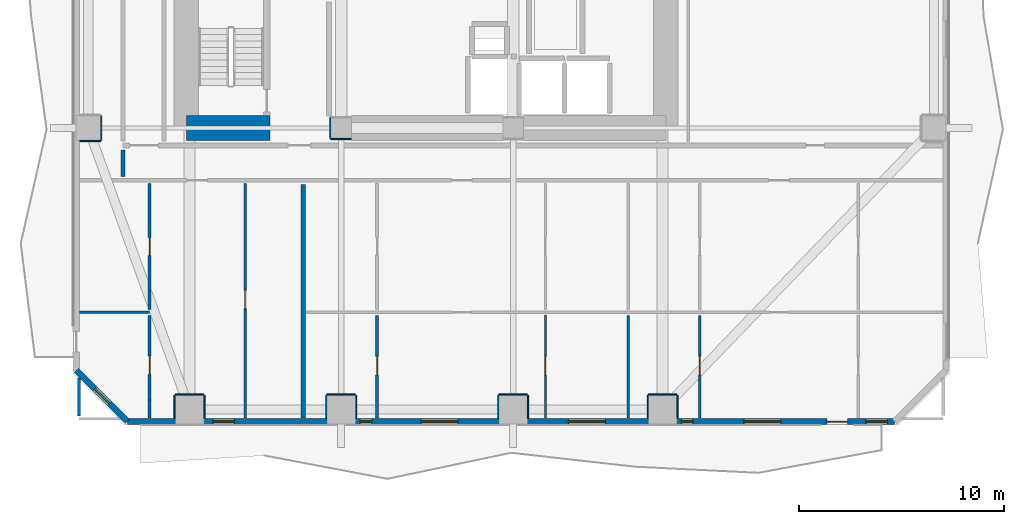
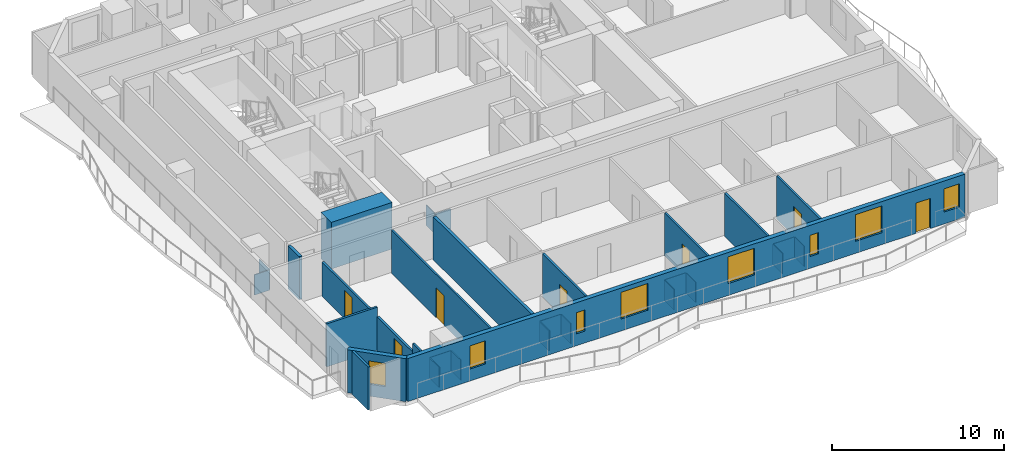
# One storey, part 2 of 10: 31 walls, 8 windows, 7 doors, 15 openings.
"""IFC4 building model written with IfcOpenShell, lengths in metres."""

from ifc_helpers import new_model, si_unit, direction, frame, frame_2d, origin, place, context, subcontext, project, spatial, rectangle, extrude, material, layer, layer_set, type_object, element, fill, save


model = new_model("IFC4")

# Units and contexts
model_context = context("Model", 3, precision=1e-05, world=origin(), true_north=direction((0.0, 1.0)))
body_context = subcontext(model_context, "Body", "Model", "MODEL_VIEW")
ifc_project = project(units=[si_unit("LENGTHUNIT", "METRE"), si_unit("AREAUNIT", "SQUARE_METRE"), si_unit("VOLUMEUNIT", "CUBIC_METRE"), si_unit("PLANEANGLEUNIT", "RADIAN"), si_unit("MASSUNIT", "GRAM", prefix="KILO")], contexts=[model_context])

# Site, building, storey
site_placement = place(None, origin())
site = spatial("IfcSite", under=ifc_project, at=site_placement, CompositionType="ELEMENT")
building_placement = place(site_placement, origin())
building = spatial("IfcBuilding", under=site, at=building_placement, Name="Solanera Arch Residences", CompositionType="ELEMENT")
storey_placement = place(building_placement, frame((0.0, 0.0, 48.56005859375)))
storey = spatial("IfcBuildingStorey", under=building, at=storey_placement, Name="L13", CompositionType="ELEMENT", Elevation=48.56005859375)

# Walls
ifc_material_1 = material(Name="Fire-Rated Gypsum Stud Partition", Category="gypsum")
ifc_layer_1 = layer(ifc_material_1, 0.06005859375)
ifc_layer_set_1 = layer_set([ifc_layer_1], Name="Fire-Rated Gypsum Stud Partition")
wall_type_1 = type_object("IfcWallType", Name="Column Acoustic Furring Wall 60", PredefinedType="PARTITIONING", material=ifc_layer_set_1)
wall_1_placement = place(storey_placement, frame((20.300048828125, 21.468017578125, 0.0), z_axis=(0.0, 0.0, 1.0), x_axis=(1.0, 0.0, 0.0)))
element("IfcWall", 1, at=wall_1_placement, inside=storey, type_object=wall_type_1, Name="L13 Column Furring 1S", PredefinedType="PARTITIONING", context=body_context, shape_type="SweptSolid", body=[
    extrude(rectangle(XDim=0.989990234375, YDim=0.06005859375, at=frame_2d((0.4951171875, 0.0))), origin(), (0.0, 0.0, 1.0), 1.449951171875),
])
wall_2_placement = place(storey_placement, frame((20.26806640625, 21.5, 0.0), z_axis=(0.0, 0.0, 1.0), x_axis=(0.0, 1.0, 0.0)))
element("IfcWall", 2, at=wall_2_placement, inside=storey, type_object=wall_type_1, Name="L13 Column Furring 1W", PredefinedType="PARTITIONING", context=body_context, shape_type="SweptSolid", body=[
    extrude(rectangle(XDim=1.0, YDim=0.06005859375, at=frame_2d((0.5, 0.0))), origin(), (0.0, 0.0, 1.0), 1.449951171875),
])
wall_3_placement = place(storey_placement, frame((12.699951171875, 8.98193359375, 0.0), z_axis=(0.0, 0.0, 1.0), x_axis=(1.0, 0.0, 0.0)))
element("IfcWall", 3, at=wall_3_placement, inside=storey, type_object=wall_type_1, Name="L13 Column Furring 9N", PredefinedType="PARTITIONING", context=body_context, shape_type="SweptSolid", body=[
    extrude(rectangle(XDim=1.400146484375, YDim=0.06005859375, at=frame_2d((0.7001953125, 0.0))), origin(), (0.0, 0.0, 1.0), 1.449951171875),
])
for number, where, z_axis, x_axis, name in (
    (4, (12.66796875, 7.830078125, 0.0), (0.0, 0.0, 1.0), (0.0, 1.0, 0.0), "L13 Column Furring 9W"),
    (5, (14.132080078125, 7.830078125, 0.0), (0.0, 0.0, 1.0), (0.0, 1.0, 0.0), "L13 Column Furring 9E"),
):
    element("IfcWall", number, at=place(storey_placement, frame(where, z_axis=z_axis, x_axis=x_axis)), inside=storey, type_object=wall_type_1, Name=name, PredefinedType="PARTITIONING", context=body_context, shape_type="SweptSolid", body=[
        extrude(rectangle(XDim=1.119873046875, YDim=0.06005859375, at=frame_2d((0.56005859375, 0.0))), origin(), (0.0, 0.0, 1.0), 1.449951171875),
    ])
wall_4_placement = place(storey_placement, frame((20.10009765625, 8.98193359375, 0.0), z_axis=(0.0, 0.0, 1.0), x_axis=(1.0, 0.0, 0.0)))
element("IfcWall", 6, at=wall_4_placement, inside=storey, type_object=wall_type_1, Name="L13 Column Furring 11N", PredefinedType="PARTITIONING", context=body_context, shape_type="SweptSolid", body=[
    extrude(rectangle(XDim=1.39990234375, YDim=0.06005859375, at=frame_2d((0.699951171875, 0.0))), origin(), (0.0, 0.0, 1.0), 1.449951171875),
])
for number, where, z_axis, x_axis, name in (
    (7, (20.068115234375, 7.830078125, 0.0), (0.0, 0.0, 1.0), (0.0, 1.0, 0.0), "L13 Column Furring 11W"),
    (8, (21.531982421875, 7.830078125, 0.0), (0.0, 0.0, 1.0), (0.0, 1.0, 0.0), "L13 Column Furring 11E"),
):
    element("IfcWall", number, at=place(storey_placement, frame(where, z_axis=z_axis, x_axis=x_axis)), inside=storey, type_object=wall_type_1, Name=name, PredefinedType="PARTITIONING", context=body_context, shape_type="SweptSolid", body=[
        extrude(rectangle(XDim=1.119873046875, YDim=0.06005859375, at=frame_2d((0.56005859375, 0.0))), origin(), (0.0, 0.0, 1.0), 1.449951171875),
    ])
wall_5_placement = place(storey_placement, frame((28.5, 8.98193359375, 0.0), z_axis=(0.0, 0.0, 1.0), x_axis=(1.0, 0.0, 0.0)))
element("IfcWall", 9, at=wall_5_placement, inside=storey, type_object=wall_type_1, Name="L13 Column Furring 13N", PredefinedType="PARTITIONING", context=body_context, shape_type="SweptSolid", body=[
    extrude(rectangle(XDim=1.39990234375, YDim=0.06005859375, at=frame_2d((0.699951171875, 0.0))), origin(), (0.0, 0.0, 1.0), 1.449951171875),
])
for number, where, z_axis, x_axis, name in (
    (10, (28.468017578125, 7.830078125, 0.0), (0.0, 0.0, 1.0), (0.0, 1.0, 0.0), "L13 Column Furring 13W"),
    (11, (29.931884765625, 7.830078125, 0.0), (0.0, 0.0, 1.0), (0.0, 1.0, 0.0), "L13 Column Furring 13E"),
):
    element("IfcWall", number, at=place(storey_placement, frame(where, z_axis=z_axis, x_axis=x_axis)), inside=storey, type_object=wall_type_1, Name=name, PredefinedType="PARTITIONING", context=body_context, shape_type="SweptSolid", body=[
        extrude(rectangle(XDim=1.119873046875, YDim=0.06005859375, at=frame_2d((0.56005859375, 0.0))), origin(), (0.0, 0.0, 1.0), 1.449951171875),
    ])
wall_6_placement = place(storey_placement, frame((35.800048828125, 8.98193359375, 0.0), z_axis=(0.0, 0.0, 1.0), x_axis=(1.0, 0.0, 0.0)))
element("IfcWall", 12, at=wall_6_placement, inside=storey, type_object=wall_type_1, Name="L13 Column Furring 15N", PredefinedType="PARTITIONING", context=body_context, shape_type="SweptSolid", body=[
    extrude(rectangle(XDim=1.39990234375, YDim=0.06005859375, at=frame_2d((0.699951171875, 0.0))), origin(), (0.0, 0.0, 1.0), 1.449951171875),
])
for number, where, z_axis, x_axis, name in (
    (13, (35.76806640625, 7.830078125, 0.0), (0.0, 0.0, 1.0), (0.0, 1.0, 0.0), "L13 Column Furring 15W"),
    (14, (37.23193359375, 7.830078125, 0.0), (0.0, 0.0, 1.0), (0.0, 1.0, 0.0), "L13 Column Furring 15E"),
):
    element("IfcWall", number, at=place(storey_placement, frame(where, z_axis=z_axis, x_axis=x_axis)), inside=storey, type_object=wall_type_1, Name=name, PredefinedType="PARTITIONING", context=body_context, shape_type="SweptSolid", body=[
        extrude(rectangle(XDim=1.119873046875, YDim=0.06005859375, at=frame_2d((0.56005859375, 0.0))), origin(), (0.0, 0.0, 1.0), 1.449951171875),
    ])
wall_7_placement = place(storey_placement, frame((8.030029296875, 21.367919921875, 0.0), z_axis=(0.0, 0.0, 1.0), x_axis=(1.0, 0.0, 0.0)))
element("IfcWall", 15, at=wall_7_placement, inside=storey, type_object=wall_type_1, Name="L13 Column Furring 17S", PredefinedType="PARTITIONING", context=body_context, shape_type="SweptSolid", body=[
    extrude(rectangle(XDim=1.02001953125, YDim=0.06005859375, at=frame_2d((0.510009765625, 0.0))), origin(), (0.0, 0.0, 1.0), 1.449951171875),
])
wall_8_placement = place(storey_placement, frame((9.08203125, 21.39990234375, 0.0), z_axis=(0.0, 0.0, 1.0), x_axis=(0.0, 1.0, 0.0)))
element("IfcWall", 16, at=wall_8_placement, inside=storey, type_object=wall_type_1, Name="L13 Column Furring 17E", PredefinedType="PARTITIONING", context=body_context, shape_type="SweptSolid", body=[
    extrude(rectangle(XDim=1.2001953125, YDim=0.06005859375, at=frame_2d((0.60009765625, 0.0))), origin(), (0.0, 0.0, 1.0), 1.449951171875),
])
ifc_material_2 = material(Name="Concrete C55/67 (f'c = 60 MPa)", Category="concrete")
ifc_layer_2 = layer(ifc_material_2, 1.199951171875)
ifc_layer_set_2 = layer_set([ifc_layer_2], Name="Concrete C55/67 (f'c = 60 MPa)")
wall_type_2 = type_object("IfcWallType", Name="Core Shear Wall CW-1200", PredefinedType="SHEAR", material=ifc_layer_set_2)
wall_9_placement = place(storey_placement, frame((13.239990234375, 22.0, 0.0), z_axis=(0.0, 0.0, 1.0), x_axis=(1.0, 0.0, 0.0)))
element("IfcWall", 17, at=wall_9_placement, inside=storey, type_object=wall_type_2, Name="L13 South-West Core Shear Wall", PredefinedType="SHEAR", context=body_context, shape_type="SweptSolid", body=[
    extrude(rectangle(XDim=4.080078125, YDim=1.199951171875, at=frame_2d((2.0400390625, 0.0))), origin(), (0.0, 0.0, 1.0), 3.31982421875),
])
ifc_material_3 = material(Name="Autoclaved Aerated Concrete Blockwork", Category="masonry")
ifc_layer_3 = layer(ifc_material_3, 0.179931640625)
ifc_layer_set_3 = layer_set([ifc_layer_3], Name="Autoclaved Aerated Concrete Blockwork")
wall_type_3 = type_object("IfcWallType", Name="Corridor Fire Partition 180", PredefinedType="PARTITIONING", material=ifc_layer_set_3)
wall_10_placement = place(storey_placement, frame((10.14990234375, 19.637939453125, 0.0), z_axis=(0.0, 0.0, 1.0), x_axis=(0.0, 1.0, 0.0)))
element("IfcWall", 18, at=wall_10_placement, inside=storey, type_object=wall_type_3, Name="L13 Interior Partition V8 1", PredefinedType="PARTITIONING", context=body_context, shape_type="SweptSolid", body=[
    extrude(rectangle(XDim=1.2939453125, YDim=0.179931640625, at=frame_2d((0.64697265625, 0.0))), origin(), (0.0, 0.0, 1.0), 3.06005859375),
])

# Wall, openings, door, windows
ifc_material_4 = material(Name="Precast Concrete C35/45", Category="concrete")
ifc_layer_4 = layer(ifc_material_4, 0.300048828125)
ifc_layer_set_4 = layer_set([ifc_layer_4], Name="Precast Concrete C35/45")
wall_type_4 = type_object("IfcWallType", Name="Exterior Wall Precast Masonry-Frame 300", PredefinedType="STANDARD", material=ifc_layer_set_4)
wall_11_placement = place(storey_placement, frame((47.8349609375, 7.6650390625, 0.0), z_axis=(0.0, 0.0, 1.0), x_axis=(-1.0, 0.0, 0.0)))
wall_11 = element("IfcWall", 19, at=wall_11_placement, inside=storey, type_object=wall_type_4, Name="L13 Tower Exterior Precast Masonry-Frame Wall S", PredefinedType="STANDARD", context=body_context, shape_type="SweptSolid", body=[
    extrude(rectangle(XDim=37.469970703125, YDim=0.300048828125, at=frame_2d((18.73486328125, 0.0))), origin(), (0.0, 0.0, 1.0), 3.06005859375),
])
opening_1_placement = place(wall_11_placement, frame((2.301025390625, 0.0, 0.0)))
opening_1 = element("IfcOpeningElement", 20, at=opening_1_placement, cuts=wall_11, Name="Opening DB-01", PredefinedType="OPENING", context=body_context, shape_type="SweptSolid", body=[
    extrude(rectangle(XDim=1.0, YDim=2.14990234375, at=frame_2d((0.5, 1.074951171875))), frame((0.0, 0.159912109375, 0.0), z_axis=(0.0, -1.0, 0.0), x_axis=(1.0, 0.0, 0.0)), (0.0, 0.0, 1.0), 0.32),
])
opening_2_placement = place(wall_11_placement, frame((32.2509765625, 0.0, 0.85009765625)))
opening_2 = element("IfcOpeningElement", 21, at=opening_2_placement, cuts=wall_11, Name="Opening W-07", PredefinedType="OPENING", context=body_context, shape_type="SweptSolid", body=[
    extrude(rectangle(XDim=1.050048828125, YDim=1.64990234375, at=frame_2d((0.52490234375, 0.824951171875))), frame((0.0, 0.159912109375, 0.0), z_axis=(0.0, -1.0, 0.0), x_axis=(1.0, 0.0, 0.0)), (0.0, 0.0, 1.0), 0.32),
])
opening_3_placement = place(wall_11_placement, frame((21.3291015625, 0.0, 0.85009765625)))
opening_3 = element("IfcOpeningElement", 22, at=opening_3_placement, cuts=wall_11, Name="Opening W-03", PredefinedType="OPENING", context=body_context, shape_type="SweptSolid", body=[
    extrude(rectangle(XDim=1.800048828125, YDim=1.89990234375, at=frame_2d((0.89990234375, 0.949951171875))), frame((0.0, 0.159912109375, 0.0), z_axis=(0.0, -1.0, 0.0), x_axis=(1.0, 0.0, 0.0)), (0.0, 0.0, 1.0), 0.32),
])
opening_4_placement = place(wall_11_placement, frame((25.5390625, 0.0, 0.85009765625)))
opening_4 = element("IfcOpeningElement", 23, at=opening_4_placement, cuts=wall_11, Name="Opening W-14", PredefinedType="OPENING", context=body_context, shape_type="SweptSolid", body=[
    extrude(rectangle(XDim=0.580078125, YDim=1.5, at=frame_2d((0.2900390625, 0.75))), frame((0.0, 0.159912109375, 0.0), z_axis=(0.0, -1.0, 0.0), x_axis=(1.0, 0.0, 0.0)), (0.0, 0.0, 1.0), 0.32),
])
opening_5_placement = place(wall_11_placement, frame((14.135009765625, 0.0, 0.85009765625)))
opening_5 = element("IfcOpeningElement", 24, at=opening_5_placement, cuts=wall_11, Name="Opening W-03", PredefinedType="OPENING", context=body_context, shape_type="SweptSolid", body=[
    extrude(rectangle(XDim=1.800048828125, YDim=1.89990234375, at=frame_2d((0.89990234375, 0.949951171875))), frame((0.0, 0.159912109375, 0.0), z_axis=(0.0, -1.0, 0.0), x_axis=(1.0, 0.0, 0.0)), (0.0, 0.0, 1.0), 0.32),
])
opening_6_placement = place(wall_11_placement, frame((5.56201171875, 0.0, 0.85009765625)))
opening_6 = element("IfcOpeningElement", 25, at=opening_6_placement, cuts=wall_11, Name="Opening W-03", PredefinedType="OPENING", context=body_context, shape_type="SweptSolid", body=[
    extrude(rectangle(XDim=1.800048828125, YDim=1.89990234375, at=frame_2d((0.89990234375, 0.949951171875))), frame((0.0, 0.159912109375, 0.0), z_axis=(0.0, -1.0, 0.0), x_axis=(1.0, 0.0, 0.0)), (0.0, 0.0, 1.0), 0.32),
])
opening_7_placement = place(wall_11_placement, frame((9.839111328125, 0.0, 0.85009765625)))
opening_7 = element("IfcOpeningElement", 26, at=opening_7_placement, cuts=wall_11, Name="Opening W-14", PredefinedType="OPENING", context=body_context, shape_type="SweptSolid", body=[
    extrude(rectangle(XDim=0.580078125, YDim=1.5, at=frame_2d((0.2900390625, 0.75))), frame((0.0, 0.159912109375, 0.0), z_axis=(0.0, -1.0, 0.0), x_axis=(1.0, 0.0, 0.0)), (0.0, 0.0, 1.0), 0.32),
])
opening_8_placement = place(wall_11_placement, frame((0.364013671875, 0.0, 0.85009765625)))
opening_8 = element("IfcOpeningElement", 27, at=opening_8_placement, cuts=wall_11, Name="Opening W-07", PredefinedType="OPENING", context=body_context, shape_type="SweptSolid", body=[
    extrude(rectangle(XDim=1.050048828125, YDim=1.64990234375, at=frame_2d((0.52490234375, 0.824951171875))), frame((0.0, 0.159912109375, 0.0), z_axis=(0.0, -1.0, 0.0), x_axis=(1.0, 0.0, 0.0)), (0.0, 0.0, 1.0), 0.32),
])
ifc_material_5 = material(Name="Anodised Aluminium Alloy 6063-T6", Category="aluminium")
door_type_1 = type_object("IfcDoorType", Name="Glazed Balcony Swing Door DB-01", OperationType="NOTDEFINED", PredefinedType="DOOR", material=ifc_material_5)
door_1_placement = place(opening_1_placement, origin())
door_1 = element("IfcDoor", 28, at=door_1_placement, inside=storey, type_object=door_type_1, Name="DR-L13-OUT-01", OperationType="SINGLE_SWING_LEFT", OverallHeight=2.14990234375, OverallWidth=1.0, PredefinedType="DOOR", context=body_context, shape_type="SweptSolid", body=[
    extrude(rectangle(XDim=1.0, YDim=2.14990234375, at=frame_2d((0.5, 1.074951171875))), frame((0.0, 0.02490234375, 0.0), z_axis=(0.0, -1.0, 0.0), x_axis=(1.0, 0.0, 0.0)), (0.0, 0.0, 1.0), 0.050048828125),
])
fill(opening_1, door_1)
ifc_material_6 = material(Name="Double Glazed Low-E Laminated Glass", Category="glass")
window_type_1 = type_object("IfcWindowType", Name="Punched Window W-03", PartitioningType="DOUBLE_PANEL_VERTICAL", PredefinedType="WINDOW", material=ifc_material_6)
window_1_placement = place(opening_3_placement, origin())
window_1 = element("IfcWindow", 29, at=window_1_placement, inside=storey, type_object=window_type_1, Name="L13 1302-LIV Punched Window", OverallHeight=1.89990234375, OverallWidth=1.800048828125, PartitioningType="SINGLE_PANEL", PredefinedType="WINDOW", context=body_context, shape_type="SweptSolid", body=[
    extrude(rectangle(XDim=1.800048828125, YDim=1.89990234375, at=frame_2d((0.89990234375, 0.949951171875))), frame((0.0, 0.030029296875, 0.0), z_axis=(0.0, -1.0, 0.0), x_axis=(1.0, 0.0, 0.0)), (0.0, 0.0, 1.0), 0.06005859375),
])
fill(opening_3, window_1)
window_2_placement = place(opening_5_placement, origin())
window_2 = element("IfcWindow", 30, at=window_2_placement, inside=storey, type_object=window_type_1, Name="L13 1302-BR2 Punched Window", OverallHeight=1.89990234375, OverallWidth=1.800048828125, PartitioningType="SINGLE_PANEL", PredefinedType="WINDOW", context=body_context, shape_type="SweptSolid", body=[
    extrude(rectangle(XDim=1.800048828125, YDim=1.89990234375, at=frame_2d((0.89990234375, 0.949951171875))), frame((0.0, 0.030029296875, 0.0), z_axis=(0.0, -1.0, 0.0), x_axis=(1.0, 0.0, 0.0)), (0.0, 0.0, 1.0), 0.06005859375),
])
fill(opening_5, window_2)
window_3_placement = place(opening_6_placement, origin())
window_3 = element("IfcWindow", 31, at=window_3_placement, inside=storey, type_object=window_type_1, Name="L13 1303-LIV Punched Window", OverallHeight=1.89990234375, OverallWidth=1.800048828125, PartitioningType="SINGLE_PANEL", PredefinedType="WINDOW", context=body_context, shape_type="SweptSolid", body=[
    extrude(rectangle(XDim=1.800048828125, YDim=1.89990234375, at=frame_2d((0.89990234375, 0.949951171875))), frame((0.0, 0.030029296875, 0.0), z_axis=(0.0, -1.0, 0.0), x_axis=(1.0, 0.0, 0.0)), (0.0, 0.0, 1.0), 0.06005859375),
])
fill(opening_6, window_3)
ifc_material_7 = material(Name="Double Glazed Low-E Laminated Glass", Category="glass")
window_type_2 = type_object("IfcWindowType", Name="Punched Window W-07", PartitioningType="SINGLE_PANEL", PredefinedType="WINDOW", material=ifc_material_7)
window_4_placement = place(opening_2_placement, origin())
window_4 = element("IfcWindow", 32, at=window_4_placement, inside=storey, type_object=window_type_2, Name="L13 1301-LIV Punched Window", OverallHeight=1.64990234375, OverallWidth=1.050048828125, PartitioningType="SINGLE_PANEL", PredefinedType="WINDOW", context=body_context, shape_type="SweptSolid", body=[
    extrude(rectangle(XDim=1.050048828125, YDim=1.64990234375, at=frame_2d((0.52490234375, 0.824951171875))), frame((0.0, 0.030029296875, 0.0), z_axis=(0.0, -1.0, 0.0), x_axis=(1.0, 0.0, 0.0)), (0.0, 0.0, 1.0), 0.06005859375),
])
fill(opening_2, window_4)
window_5_placement = place(opening_8_placement, origin())
window_5 = element("IfcWindow", 33, at=window_5_placement, inside=storey, type_object=window_type_2, Name="L13 1303-STD Punched Window", OverallHeight=1.64990234375, OverallWidth=1.050048828125, PartitioningType="SINGLE_PANEL", PredefinedType="WINDOW", context=body_context, shape_type="SweptSolid", body=[
    extrude(rectangle(XDim=1.050048828125, YDim=1.64990234375, at=frame_2d((0.52490234375, 0.824951171875))), frame((0.0, 0.030029296875, 0.0), z_axis=(0.0, -1.0, 0.0), x_axis=(1.0, 0.0, 0.0)), (0.0, 0.0, 1.0), 0.06005859375),
])
fill(opening_8, window_5)
ifc_material_8 = material(Name="Double Glazed Low-E Laminated Glass", Category="glass")
window_type_3 = type_object("IfcWindowType", Name="Punched Window W-14", PartitioningType="SINGLE_PANEL", PredefinedType="WINDOW", material=ifc_material_8)
window_6_placement = place(opening_4_placement, origin())
window_6 = element("IfcWindow", 34, at=window_6_placement, inside=storey, type_object=window_type_3, Name="L13 1302-BR1 Punched Window", OverallHeight=1.5, OverallWidth=0.580078125, PartitioningType="SINGLE_PANEL", PredefinedType="WINDOW", context=body_context, shape_type="SweptSolid", body=[
    extrude(rectangle(XDim=0.580078125, YDim=1.5, at=frame_2d((0.2900390625, 0.75))), frame((0.0, 0.030029296875, 0.0), z_axis=(0.0, -1.0, 0.0), x_axis=(1.0, 0.0, 0.0)), (0.0, 0.0, 1.0), 0.06005859375),
])
fill(opening_4, window_6)
window_7_placement = place(opening_7_placement, origin())
window_7 = element("IfcWindow", 35, at=window_7_placement, inside=storey, type_object=window_type_3, Name="L13 1303-BR1 Punched Window", OverallHeight=1.5, OverallWidth=0.580078125, PartitioningType="SINGLE_PANEL", PredefinedType="WINDOW", context=body_context, shape_type="SweptSolid", body=[
    extrude(rectangle(XDim=0.580078125, YDim=1.5, at=frame_2d((0.2900390625, 0.75))), frame((0.0, 0.030029296875, 0.0), z_axis=(0.0, -1.0, 0.0), x_axis=(1.0, 0.0, 0.0)), (0.0, 0.0, 1.0), 0.06005859375),
])
fill(opening_7, window_7)

# Wall, opening, window
wall_12_placement = place(storey_placement, frame((10.364990234375, 7.6650390625, 0.0), z_axis=(0.0, 0.0, 1.0), x_axis=(-0.707106781187, 0.707106781187, 0.0)))
wall_12 = element("IfcWall", 36, at=wall_12_placement, inside=storey, type_object=wall_type_4, Name="L13 Tower Exterior Precast Masonry-Frame Wall CH7", PredefinedType="STANDARD", context=body_context, shape_type="SweptSolid", body=[
    extrude(rectangle(XDim=3.53564453125, YDim=0.300048828125, at=frame_2d((1.767822265625, 0.0))), origin(), (0.0, 0.0, 1.0), 3.06005859375),
])
opening_9_placement = place(wall_12_placement, frame((1.219970703125, 0.0, 0.85009765625)))
opening_9 = element("IfcOpeningElement", 37, at=opening_9_placement, cuts=wall_12, Name="Opening W-07", PredefinedType="OPENING", context=body_context, shape_type="SweptSolid", body=[
    extrude(rectangle(XDim=1.050048828125, YDim=1.64990234375, at=frame_2d((0.52490234375, 0.824951171875))), frame((0.0, 0.159912109375, 0.0), z_axis=(0.0, -1.0, 0.0), x_axis=(1.0, 0.0, 0.0)), (0.0, 0.0, 1.0), 0.32),
])
window_8_placement = place(opening_9_placement, origin())
window_8 = element("IfcWindow", 38, at=window_8_placement, inside=storey, type_object=window_type_2, Name="L13 1301-BR1 Corner Punched Window", OverallHeight=1.64990234375, OverallWidth=1.050048828125, PartitioningType="SINGLE_PANEL", PredefinedType="WINDOW", context=body_context, shape_type="SweptSolid", body=[
    extrude(rectangle(XDim=1.050048828125, YDim=1.64990234375, at=frame_2d((0.52490234375, 0.824951171875))), frame((0.0, 0.030029296875, 0.0), z_axis=(0.0, -1.0, 0.0), x_axis=(1.0, 0.0, 0.0)), (0.0, 0.0, 1.0), 0.06005859375),
])
fill(opening_9, window_8)

# Wall
ifc_material_9 = material(Name="Autoclaved Aerated Concrete Blockwork", Category="masonry")
ifc_layer_5 = layer(ifc_material_9, 0.199951171875)
ifc_layer_set_5 = layer_set([ifc_layer_5], Name="Autoclaved Aerated Concrete Blockwork")
wall_type_5 = type_object("IfcWallType", Name="Party Wall Acoustic 200", PredefinedType="PARTITIONING", material=ifc_layer_set_5)
wall_13_placement = place(storey_placement, frame((18.949951171875, 7.826904296875, 0.0), z_axis=(0.0, 0.0, 1.0), x_axis=(0.0, 1.0, 0.0)))
element("IfcWall", 39, at=wall_13_placement, inside=storey, type_object=wall_type_5, Name="L13 Interior Partition V6", PredefinedType="PARTITIONING", context=body_context, shape_type="SweptSolid", body=[
    extrude(rectangle(XDim=11.425048828125, YDim=0.199951171875, at=frame_2d((5.71240234375, 0.0))), origin(), (0.0, 0.0, 1.0), 3.06005859375),
])

# Wall, opening, door
ifc_material_10 = material(Name="Fire-Rated Gypsum Stud Partition", Category="gypsum")
ifc_layer_6 = layer(ifc_material_10, 0.1201171875)
ifc_layer_set_6 = layer_set([ifc_layer_6], Name="Fire-Rated Gypsum Stud Partition")
wall_type_6 = type_object("IfcWallType", Name="Unit Drywall Partition 120", PredefinedType="PARTITIONING", material=ifc_layer_set_6)
wall_14_placement = place(storey_placement, frame((16.117919921875, 7.826904296875, 0.0), z_axis=(0.0, 0.0, 1.0), x_axis=(0.0, 1.0, 0.0)))
wall_14 = element("IfcWall", 40, at=wall_14_placement, inside=storey, type_object=wall_type_6, Name="L13 Interior Partition V23", PredefinedType="PARTITIONING", context=body_context, shape_type="SweptSolid", body=[
    extrude(rectangle(XDim=11.465087890625, YDim=0.1201171875, at=frame_2d((5.732421875, 0.0))), origin(), (0.0, 0.0, 1.0), 3.06005859375),
])
opening_10_placement = place(wall_14_placement, frame((5.347900390625, 0.0, 0.0)))
opening_10 = element("IfcOpeningElement", 41, at=opening_10_placement, cuts=wall_14, Name="Opening DI-02", PredefinedType="OPENING", context=body_context, shape_type="SweptSolid", body=[
    extrude(rectangle(XDim=0.89990234375, YDim=2.10009765625, at=frame_2d((0.449951171875, 1.050048828125))), frame((0.0, 0.070068359375, 0.0), z_axis=(0.0, -1.0, 0.0), x_axis=(1.0, 0.0, 0.0)), (0.0, 0.0, 1.0), 0.1401),
])
ifc_material_11 = material(Name="Fire-Rated Architectural Hardwood", Category="wood")
door_type_2 = type_object("IfcDoorType", Name="Suite Room Swing Door DI-02", OperationType="NOTDEFINED", PredefinedType="DOOR", material=ifc_material_11)
door_2_placement = place(opening_10_placement, origin())
door_2 = element("IfcDoor", 42, at=door_2_placement, inside=storey, type_object=door_type_2, Name="DR-L13-IN-018", OperationType="SINGLE_SWING_RIGHT", OverallHeight=2.10009765625, OverallWidth=0.89990234375, PredefinedType="DOOR", context=body_context, shape_type="SweptSolid", body=[
    extrude(rectangle(XDim=0.89990234375, YDim=2.10009765625, at=frame_2d((0.449951171875, 1.050048828125))), frame((0.0, 0.02490234375, 0.0), z_axis=(0.0, -1.0, 0.0), x_axis=(1.0, 0.0, 0.0)), (0.0, 0.0, 1.0), 0.050048828125),
])
fill(opening_10, door_2)

wall_15_placement = place(storey_placement, frame((30.780029296875, 7.826904296875, 0.0), z_axis=(0.0, 0.0, 1.0), x_axis=(0.0, 1.0, 0.0)))
wall_15 = element("IfcWall", 43, at=wall_15_placement, inside=storey, type_object=wall_type_6, Name="L13 Interior Partition V25 1", PredefinedType="PARTITIONING", context=body_context, shape_type="SweptSolid", body=[
    extrude(rectangle(XDim=5.03515625, YDim=0.1201171875, at=frame_2d((2.517578125, 0.0))), origin(), (0.0, 0.0, 1.0), 3.06005859375),
])
opening_11_placement = place(wall_15_placement, frame((2.123046875, 0.0, 0.0)))
opening_11 = element("IfcOpeningElement", 44, at=opening_11_placement, cuts=wall_15, Name="Opening DI-03", PredefinedType="OPENING", context=body_context, shape_type="SweptSolid", body=[
    extrude(rectangle(XDim=0.89990234375, YDim=2.10009765625, at=frame_2d((0.449951171875, 1.050048828125))), frame((0.0, 0.070068359375, 0.0), z_axis=(0.0, -1.0, 0.0), x_axis=(1.0, 0.0, 0.0)), (0.0, 0.0, 1.0), 0.1401),
])
ifc_material_12 = material(Name="Fire-Rated Architectural Hardwood", Category="wood")
door_type_3 = type_object("IfcDoorType", Name="Bedroom Swing Door DI-03", OperationType="NOTDEFINED", PredefinedType="DOOR", material=ifc_material_12)
door_3_placement = place(opening_11_placement, origin())
door_3 = element("IfcDoor", 45, at=door_3_placement, inside=storey, type_object=door_type_3, Name="DR-L13-IN-024", OperationType="SINGLE_SWING_RIGHT", OverallHeight=2.10009765625, OverallWidth=0.89990234375, PredefinedType="DOOR", context=body_context, shape_type="SweptSolid", body=[
    extrude(rectangle(XDim=0.89990234375, YDim=2.10009765625, at=frame_2d((0.449951171875, 1.050048828125))), frame((0.0, 0.02490234375, 0.0), z_axis=(0.0, -1.0, 0.0), x_axis=(1.0, 0.0, 0.0)), (0.0, 0.0, 1.0), 0.050048828125),
])
fill(opening_11, door_3)

# Walls
ifc_material_13 = material(Name="Autoclaved Aerated Concrete Blockwork", Category="masonry")
ifc_layer_7 = layer(ifc_material_13, 0.139892578125)
ifc_layer_set_7 = layer_set([ifc_layer_7], Name="Autoclaved Aerated Concrete Blockwork")
wall_type_7 = type_object("IfcWallType", Name="Wet-Room Partition 140", PredefinedType="PARTITIONING", material=ifc_layer_set_7)
wall_16_placement = place(storey_placement, frame((8.027099609375, 13.0, 0.0), z_axis=(0.0, 0.0, 1.0), x_axis=(1.0, 0.0, 0.0)))
element("IfcWall", 46, at=wall_16_placement, inside=storey, type_object=wall_type_7, Name="L13 Interior Partition H13", PredefinedType="PARTITIONING", context=body_context, shape_type="SweptSolid", body=[
    extrude(rectangle(XDim=3.419921875, YDim=0.139892578125, at=frame_2d((1.7099609375, 0.0))), origin(), (0.0, 0.0, 1.0), 3.06005859375),
])
wall_17_placement = place(storey_placement, frame((8.0, 7.93798828125, 0.0), z_axis=(0.0, 0.0, 1.0), x_axis=(0.0, 1.0, 0.0)))
element("IfcWall", 47, at=wall_17_placement, inside=storey, type_object=wall_type_7, Name="L13 Interior Partition V11", PredefinedType="PARTITIONING", context=body_context, shape_type="SweptSolid", body=[
    extrude(rectangle(XDim=1.863037109375, YDim=0.139892578125, at=frame_2d((0.931640625, 0.0))), origin(), (0.0, 0.0, 1.0), 3.06005859375),
])
wall_18_placement = place(storey_placement, frame((11.447021484375, 7.826904296875, 0.0), z_axis=(0.0, 0.0, 1.0), x_axis=(0.0, 1.0, 0.0)))
element("IfcWall", 48, at=wall_18_placement, inside=storey, type_object=wall_type_7, Name="L13 Interior Partition V13 1", PredefinedType="PARTITIONING", context=body_context, shape_type="SweptSolid", body=[
    extrude(rectangle(XDim=0.89111328125, YDim=0.139892578125, at=frame_2d((0.445556640625, 0.0))), origin(), (0.0, 0.0, 1.0), 3.06005859375),
])

# Wall, opening, door
wall_19_placement = place(storey_placement, frame((11.447021484375, 8.718017578125, 0.0), z_axis=(0.0, 0.0, 1.0), x_axis=(0.0, 1.0, 0.0)))
wall_19 = element("IfcWall", 49, at=wall_19_placement, inside=storey, type_object=wall_type_7, Name="L13 Interior Partition V13 2", PredefinedType="PARTITIONING", context=body_context, shape_type="SweptSolid", body=[
    extrude(rectangle(XDim=4.134033203125, YDim=0.139892578125, at=frame_2d((2.06689453125, 0.0))), origin(), (0.0, 0.0, 1.0), 2.44482421875),
])
opening_12_placement = place(wall_19_placement, frame((1.2451171875, 0.0, 0.0)))
opening_12 = element("IfcOpeningElement", 50, at=opening_12_placement, cuts=wall_19, Name="Opening DI-03", PredefinedType="OPENING", context=body_context, shape_type="SweptSolid", body=[
    extrude(rectangle(XDim=0.89990234375, YDim=2.10009765625, at=frame_2d((0.449951171875, 1.050048828125))), frame((0.0, 0.079833984375, 0.0), z_axis=(0.0, -1.0, 0.0), x_axis=(1.0, 0.0, 0.0)), (0.0, 0.0, 1.0), 0.1599),
])
door_4_placement = place(opening_12_placement, origin())
door_4 = element("IfcDoor", 51, at=door_4_placement, inside=storey, type_object=door_type_3, Name="DR-L13-IN-017", OperationType="SINGLE_SWING_LEFT", OverallHeight=2.10009765625, OverallWidth=0.89990234375, PredefinedType="DOOR", context=body_context, shape_type="SweptSolid", body=[
    extrude(rectangle(XDim=0.89990234375, YDim=2.10009765625, at=frame_2d((0.449951171875, 1.050048828125))), frame((0.0, 0.02490234375, 0.0), z_axis=(0.0, -1.0, 0.0), x_axis=(1.0, 0.0, 0.0)), (0.0, 0.0, 1.0), 0.050048828125),
])
fill(opening_12, door_4)

wall_20_placement = place(storey_placement, frame((11.447021484375, 13.14794921875, 0.0), z_axis=(0.0, 0.0, 1.0), x_axis=(0.0, 1.0, 0.0)))
wall_20 = element("IfcWall", 52, at=wall_20_placement, inside=storey, type_object=wall_type_7, Name="L13 Interior Partition V13 3", PredefinedType="PARTITIONING", context=body_context, shape_type="SweptSolid", body=[
    extrude(rectangle(XDim=6.134033203125, YDim=0.139892578125, at=frame_2d((3.06689453125, 0.0))), origin(), (0.0, 0.0, 1.0), 2.44482421875),
])
opening_13_placement = place(wall_20_placement, frame((2.634033203125, 0.0, 0.0)))
opening_13 = element("IfcOpeningElement", 53, at=opening_13_placement, cuts=wall_20, Name="Opening DI-05", PredefinedType="OPENING", context=body_context, shape_type="SweptSolid", body=[
    extrude(rectangle(XDim=0.860107421875, YDim=2.02001953125, at=frame_2d((0.43017578125, 1.010009765625))), frame((0.0, 0.079833984375, 0.0), z_axis=(0.0, -1.0, 0.0), x_axis=(1.0, 0.0, 0.0)), (0.0, 0.0, 1.0), 0.1599),
])
ifc_material_14 = material(Name="Fire-Rated Architectural Hardwood", Category="wood")
door_type_4 = type_object("IfcDoorType", Name="Bathroom Swing Door DI-05", OperationType="NOTDEFINED", PredefinedType="DOOR", material=ifc_material_14)
door_5_placement = place(opening_13_placement, origin())
door_5 = element("IfcDoor", 54, at=door_5_placement, inside=storey, type_object=door_type_4, Name="DR-L13-IN-016", OperationType="SINGLE_SWING_RIGHT", OverallHeight=2.02001953125, OverallWidth=0.860107421875, PredefinedType="DOOR", context=body_context, shape_type="SweptSolid", body=[
    extrude(rectangle(XDim=0.860107421875, YDim=2.02001953125, at=frame_2d((0.43017578125, 1.010009765625))), frame((0.0, 0.02490234375, 0.0), z_axis=(0.0, -1.0, 0.0), x_axis=(1.0, 0.0, 0.0)), (0.0, 0.0, 1.0), 0.050048828125),
])
fill(opening_13, door_5)

wall_21_placement = place(storey_placement, frame((22.56005859375, 7.826904296875, 0.0), z_axis=(0.0, 0.0, 1.0), x_axis=(0.0, 1.0, 0.0)))
wall_21 = element("IfcWall", 55, at=wall_21_placement, inside=storey, type_object=wall_type_7, Name="L13 Interior Partition V15 1", PredefinedType="PARTITIONING", context=body_context, shape_type="SweptSolid", body=[
    extrude(rectangle(XDim=5.025146484375, YDim=0.139892578125, at=frame_2d((2.5126953125, 0.0))), origin(), (0.0, 0.0, 1.0), 3.06005859375),
])
opening_14_placement = place(wall_21_placement, frame((2.123046875, 0.0, 0.0)))
opening_14 = element("IfcOpeningElement", 56, at=opening_14_placement, cuts=wall_21, Name="Opening DI-03", PredefinedType="OPENING", context=body_context, shape_type="SweptSolid", body=[
    extrude(rectangle(XDim=0.89990234375, YDim=2.10009765625, at=frame_2d((0.449951171875, 1.050048828125))), frame((0.0, 0.079833984375, 0.0), z_axis=(0.0, -1.0, 0.0), x_axis=(1.0, 0.0, 0.0)), (0.0, 0.0, 1.0), 0.1599),
])
door_6_placement = place(opening_14_placement, origin())
door_6 = element("IfcDoor", 57, at=door_6_placement, inside=storey, type_object=door_type_3, Name="DR-L13-IN-022", OperationType="SINGLE_SWING_RIGHT", OverallHeight=2.10009765625, OverallWidth=0.89990234375, PredefinedType="DOOR", context=body_context, shape_type="SweptSolid", body=[
    extrude(rectangle(XDim=0.89990234375, YDim=2.10009765625, at=frame_2d((0.449951171875, 1.050048828125))), frame((0.0, 0.02490234375, 0.0), z_axis=(0.0, -1.0, 0.0), x_axis=(1.0, 0.0, 0.0)), (0.0, 0.0, 1.0), 0.050048828125),
])
fill(opening_14, door_6)

# Wall
wall_22_placement = place(storey_placement, frame((34.820068359375, 7.826904296875, 0.0), z_axis=(0.0, 0.0, 1.0), x_axis=(0.0, 1.0, 0.0)))
element("IfcWall", 58, at=wall_22_placement, inside=storey, type_object=wall_type_7, Name="L13 Interior Partition V18 1", PredefinedType="PARTITIONING", context=body_context, shape_type="SweptSolid", body=[
    extrude(rectangle(XDim=5.025146484375, YDim=0.139892578125, at=frame_2d((2.5126953125, 0.0))), origin(), (0.0, 0.0, 1.0), 3.06005859375),
])

# Wall, opening, door
wall_23_placement = place(storey_placement, frame((38.31201171875, 7.826904296875, 0.0), z_axis=(0.0, 0.0, 1.0), x_axis=(0.0, 1.0, 0.0)))
wall_23 = element("IfcWall", 59, at=wall_23_placement, inside=storey, type_object=wall_type_7, Name="L13 Interior Partition V21 1", PredefinedType="PARTITIONING", context=body_context, shape_type="SweptSolid", body=[
    extrude(rectangle(XDim=5.025146484375, YDim=0.139892578125, at=frame_2d((2.5126953125, 0.0))), origin(), (0.0, 0.0, 1.0), 3.06005859375),
])
opening_15_placement = place(wall_23_placement, frame((2.123046875, 0.0, 0.0)))
opening_15 = element("IfcOpeningElement", 60, at=opening_15_placement, cuts=wall_23, Name="Opening DI-03", PredefinedType="OPENING", context=body_context, shape_type="SweptSolid", body=[
    extrude(rectangle(XDim=0.89990234375, YDim=2.10009765625, at=frame_2d((0.449951171875, 1.050048828125))), frame((0.0, 0.079833984375, 0.0), z_axis=(0.0, -1.0, 0.0), x_axis=(1.0, 0.0, 0.0)), (0.0, 0.0, 1.0), 0.1599),
])
door_7_placement = place(opening_15_placement, origin())
door_7 = element("IfcDoor", 61, at=door_7_placement, inside=storey, type_object=door_type_3, Name="DR-L13-IN-028", OperationType="SINGLE_SWING_RIGHT", OverallHeight=2.10009765625, OverallWidth=0.89990234375, PredefinedType="DOOR", context=body_context, shape_type="SweptSolid", body=[
    extrude(rectangle(XDim=0.89990234375, YDim=2.10009765625, at=frame_2d((0.449951171875, 1.050048828125))), frame((0.0, 0.02490234375, 0.0), z_axis=(0.0, -1.0, 0.0), x_axis=(1.0, 0.0, 0.0)), (0.0, 0.0, 1.0), 0.050048828125),
])
fill(opening_15, door_7)

save(model, "model.ifc")
